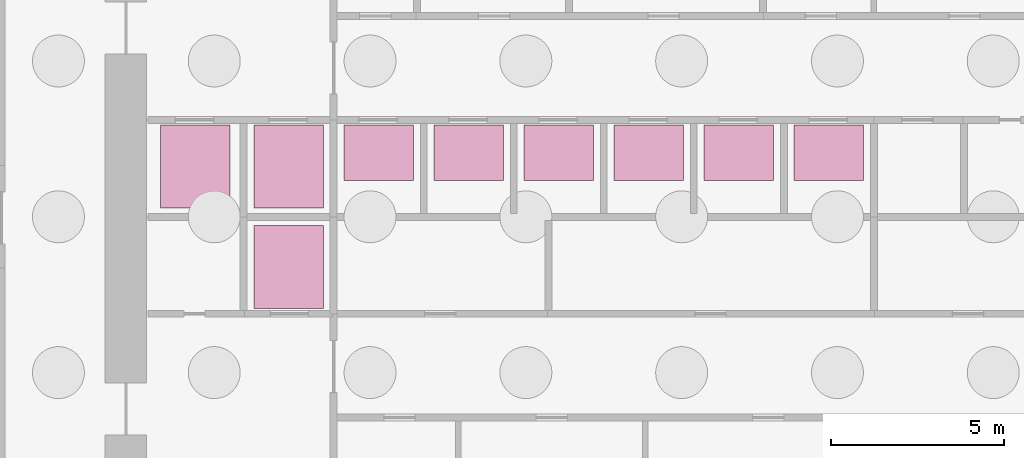
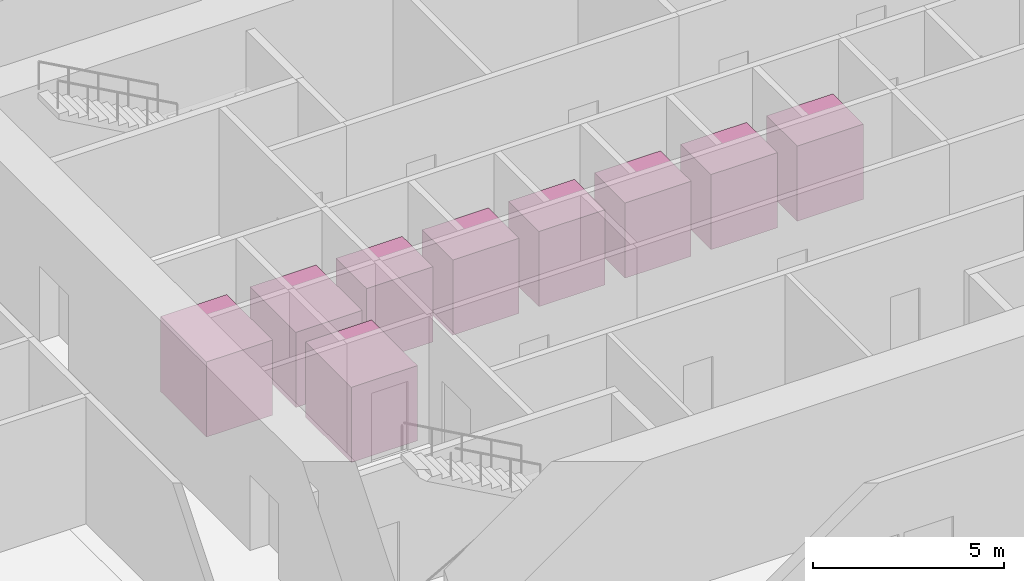
# One storey, part 14 of 14: 9 transport elements.
"""IFC4 building model written with IfcOpenShell, lengths in metres."""

import ifcopenshell
import ifcopenshell.guid

model = None  # the IFC model being written
_history = None  # IfcOwnerHistory: only IFC2X3 demands one
_inside = {}  # id of a spatial element -> (the spatial element, [elements in it])
_under = {}  # id of a project, library or spatial element -> (it, [spatial elements below it])
_declared = {}  # id of a project -> (the project, [libraries it declares])
_typed = {}  # id of a type object -> (the type object, [elements of that type])
_made_of = {}  # id of a material, layer set ... -> (it, [elements and type objects made of it])


def new_model(schema):
    """Start an empty IFC model of exactly this schema.

    Asked for "IFC4X3", IfcOpenShell would pick the latest addendum, in which some entities
    have other attributes; the version numbers below select the first issue.
    IFC2X3 requires an IfcOwnerHistory on every rooted entity: one is made here for all.
    """
    global model, _history
    if schema == "IFC4X3":
        model = ifcopenshell.file(schema_version=(4, 3, 0, 0))
    else:
        model = ifcopenshell.file(schema=schema)
    _inside.clear()
    _under.clear()
    _declared.clear()
    _typed.clear()
    _made_of.clear()
    _history = None
    if model.schema == "IFC2X3":
        org = make("IfcOrganization", Name="unknown")
        user = make(
            "IfcPersonAndOrganization",
            ThePerson=make("IfcPerson", FamilyName="unknown"),
            TheOrganization=org,
        )
        app = make(
            "IfcApplication",
            ApplicationDeveloper=org,
            Version="unknown",
            ApplicationFullName="unknown",
            ApplicationIdentifier="unknown",
        )
        _history = make(
            "IfcOwnerHistory",
            OwningUser=user,
            OwningApplication=app,
            ChangeAction="ADDED",
            CreationDate=0,
        )
    return model


def make(cls, **values):
    """One entity of the class cls with the attributes given. An attribute that is None is left unset."""
    return model.create_entity(
        cls, **{name: value for name, value in values.items() if value is not None}
    )


def rooted(cls, **values):
    """An entity with a GlobalId (a new one), such as an element, a storey or a relation."""
    return make(cls, GlobalId=ifcopenshell.guid.new(), OwnerHistory=_history, **values)


def si_unit(unit_type, name, prefix=None):
    """IfcSIUnit, for example si_unit("LENGTHUNIT", "METRE", prefix="MILLI")."""
    return make("IfcSIUnit", UnitType=unit_type, Prefix=prefix, Name=name)


def assignment(units):
    """IfcUnitAssignment: the units of a project."""
    return None if units is None else make("IfcUnitAssignment", Units=units)


def point(xyz):
    """IfcCartesianPoint."""
    return None if xyz is None else make("IfcCartesianPoint", Coordinates=xyz)


def direction(xyz):
    """IfcDirection."""
    return None if xyz is None else make("IfcDirection", DirectionRatios=xyz)


def frame(location, z_axis=None, x_axis=None):
    """IfcAxis2Placement3D, a coordinate frame: its origin and axes. An axis left out is left unset."""
    return make(
        "IfcAxis2Placement3D",
        Location=point(location),
        Axis=direction(z_axis),
        RefDirection=direction(x_axis),
    )


def frame_2d(location, x_axis=None):
    """IfcAxis2Placement2D, a coordinate frame in the plane: its origin and x axis."""
    return make(
        "IfcAxis2Placement2D", Location=point(location), RefDirection=direction(x_axis)
    )


def origin():
    """The frame at (0, 0, 0) with its axes left unset."""
    return frame((0.0, 0.0, 0.0))


def origin_2d():
    """The frame at (0, 0) in the plane with its x axis left unset."""
    return frame_2d((0.0, 0.0))


def place(relative_to, where):
    """IfcLocalPlacement: puts the frame where relative to a parent placement (None: the world)."""
    return make(
        "IfcLocalPlacement", PlacementRelTo=relative_to, RelativePlacement=where
    )


def context(
    kind, dimensions, precision=None, world=None, true_north=None, identifier=None
):
    """IfcGeometricRepresentationContext, for example the 3D "Model" context."""
    return make(
        "IfcGeometricRepresentationContext",
        ContextIdentifier=identifier,
        ContextType=kind,
        CoordinateSpaceDimension=dimensions,
        Precision=precision,
        WorldCoordinateSystem=world,
        TrueNorth=true_north,
    )


def subcontext(parent, identifier, kind, view, scale=None):
    """IfcGeometricRepresentationSubContext, for example "Body" below "Model"."""
    return make(
        "IfcGeometricRepresentationSubContext",
        ContextIdentifier=identifier,
        ContextType=kind,
        ParentContext=parent,
        TargetScale=scale,
        TargetView=view,
    )


def project(units=None, contexts=None):
    """IfcProject with its units and contexts."""
    return rooted(
        "IfcProject",
        Name="project",
        RepresentationContexts=contexts,
        UnitsInContext=assignment(units),
    )


def spatial(cls, under=None, at=None, **own):
    """A site, building, storey or space (cls), placed at a placement, below another one or the project."""
    s = rooted(cls, ObjectPlacement=at, **own)
    if under is not None:
        _under.setdefault(under.id(), (under, []))[1].append(s)
    return s


def profile(cls, at=None, kind="AREA", **sizes):
    """A parametric profile (cls). Its sizes go by their IFC names, for example OverallWidth=200.0."""
    return make(cls, ProfileType=kind, Position=at, **sizes)


def rectangle(**sizes):
    """IfcRectangleProfileDef."""
    return profile("IfcRectangleProfileDef", **sizes)


def extrude(swept, where, along, depth):
    """IfcExtrudedAreaSolid: the profile swept, set in the frame where, extruded along a direction by depth."""
    return make(
        "IfcExtrudedAreaSolid",
        SweptArea=swept,
        Position=where,
        ExtrudedDirection=direction(along),
        Depth=depth,
    )


def shape(context_of_items, identifier, shape_type, items):
    """IfcShapeRepresentation: the items that make up one representation, for example the "Body"."""
    return make(
        "IfcShapeRepresentation",
        ContextOfItems=context_of_items,
        RepresentationIdentifier=identifier,
        RepresentationType=shape_type,
        Items=items,
    )


def material(Name=None, Category=None):
    """IfcMaterial."""
    return make("IfcMaterial", Name=Name, Category=Category)


def made_of(thing, what):
    """Note that an element or type object is made of a material, layer set ...; save() writes the relation."""
    if what is not None:
        _made_of.setdefault(what.id(), (what, []))[1].append(thing)
    return thing


def type_object(cls, material=None, **own):
    """A type object (cls), such as IfcWallType, which elements share."""
    return made_of(rooted(cls, **own), material)


def element(
    cls,
    number,
    at=None,
    inside=None,
    cuts=None,
    type_object=None,
    material=None,
    context=None,
    identifier="Body",
    shape_type=None,
    held_by="IfcProductDefinitionShape",
    body=None,
    shapes=None,
    **own,
):
    """One element of the class cls, such as IfcWall. Its Tag is "e" and its number.

    at: its placement. inside: the storey or other place that contains it. cuts: it is an
    opening in that element (IfcRelVoidsElement). A single representation is given by context,
    identifier, shape_type and body (its items); several are given by shapes. held_by: the class
    of the entity that holds the representations. save() writes the other relations.
    """
    e = rooted(cls, Tag="e%d" % number, ObjectPlacement=at, **own)
    if body is not None:
        shapes = [shape(context, identifier, shape_type, body)]
    if shapes is not None:
        e.Representation = make(held_by, Representations=shapes)
    if inside is not None:
        _inside.setdefault(inside.id(), (inside, []))[1].append(e)
    if cuts is not None:
        rooted(
            "IfcRelVoidsElement", RelatingBuildingElement=cuts, RelatedOpeningElement=e
        )
    if type_object is not None:
        _typed.setdefault(type_object.id(), (type_object, []))[1].append(e)
    return made_of(e, material)


def aggregate(whole, parts):
    """IfcRelAggregates: a whole, such as a stair, and the parts it consists of."""
    return rooted("IfcRelAggregates", RelatingObject=whole, RelatedObjects=parts)


def save(model, path):
    """Write the relations noted so far, then the file.

    IfcRelAggregates (storeys below a building ...), IfcRelContainedInSpatialStructure (elements
    in a storey), IfcRelDefinesByType, IfcRelAssociatesMaterial and IfcRelDeclares: one each for
    every whole, place, type object, material and project.
    """
    for whole, parts in _under.values():
        aggregate(whole, parts)
    for where, things in _inside.values():
        rooted(
            "IfcRelContainedInSpatialStructure",
            RelatedElements=things,
            RelatingStructure=where,
        )
    for kind, things in _typed.values():
        rooted("IfcRelDefinesByType", RelatedObjects=things, RelatingType=kind)
    for what, things in _made_of.values():
        rooted("IfcRelAssociatesMaterial", RelatedObjects=things, RelatingMaterial=what)
    for by, libraries in _declared.values():
        rooted("IfcRelDeclares", RelatingContext=by, RelatedDefinitions=libraries)
    model.write(path)


model = new_model("IFC4")

# Units and contexts
model_context = context("Model", 3, precision=1e-05, world=origin(), true_north=direction((0.0, 1.0)))
body_context = subcontext(model_context, "Body", "Model", "MODEL_VIEW")
ifc_project = project(units=[si_unit("LENGTHUNIT", "METRE"), si_unit("AREAUNIT", "SQUARE_METRE"), si_unit("VOLUMEUNIT", "CUBIC_METRE"), si_unit("PLANEANGLEUNIT", "RADIAN"), si_unit("MASSUNIT", "GRAM", prefix="KILO")], contexts=[model_context])

# Site, building, storey
site_placement = place(None, origin())
site = spatial("IfcSite", under=ifc_project, at=site_placement, CompositionType="ELEMENT")
building_placement = place(site_placement, origin())
building = spatial("IfcBuilding", under=site, at=building_placement, Name="Msitu Wima Residences", CompositionType="ELEMENT")
storey_placement = place(building_placement, frame((0.0, 0.0, -9.0)))
storey = spatial("IfcBuildingStorey", under=building, at=storey_placement, Name="B2", CompositionType="ELEMENT", Elevation=-9.0)

# Transport elements
ifc_material = material(Name="Steel lift car, stainless steel lining", Category="steel")
transport_element_type_1 = type_object("IfcTransportElementType", Name="Fire fighting lift FL", PredefinedType="ELEVATOR", material=ifc_material)
for number, where, z_axis, x_axis, name in (
    (1, (-9.10009765625, 1.449951171875, 0.0), (0.0, 0.0, 1.0), (1.0, 0.0, 0.0), "Fire fighting lift FL1"),
    (2, (-9.10009765625, -1.449951171875, 0.0), (0.0, 0.0, 1.0), (1.0, 0.0, 0.0), "Fire fighting lift FL2"),
):
    element("IfcTransportElement", number, at=place(storey_placement, frame(where, z_axis=z_axis, x_axis=x_axis)), inside=storey, type_object=transport_element_type_1, Name=name, PredefinedType="ELEVATOR", context=body_context, shape_type="SweptSolid", body=[
        extrude(rectangle(XDim=2.0, YDim=2.39990234375, at=origin_2d()), origin(), (0.0, 0.0, 1.0), 2.39990234375),
    ])
transport_element_type_2 = type_object("IfcTransportElementType", Name="Low-rise passenger lift PL1", PredefinedType="ELEVATOR", material=ifc_material)
for number, where, z_axis, x_axis, name in (
    (3, (-6.5, 1.85009765625, 0.0), (0.0, 0.0, 1.0), (1.0, 0.0, 0.0), "Lift P1"),
    (4, (-3.89990234375, 1.85009765625, 0.0), (0.0, 0.0, 1.0), (1.0, 0.0, 0.0), "Lift P2"),
    (5, (-1.300048828125, 1.85009765625, 0.0), (0.0, 0.0, 1.0), (1.0, 0.0, 0.0), "Lift P3"),
    (6, (1.300048828125, 1.85009765625, 0.0), (0.0, 0.0, 1.0), (1.0, 0.0, 0.0), "Lift P4"),
    (7, (3.89990234375, 1.85009765625, 0.0), (0.0, 0.0, 1.0), (1.0, 0.0, 0.0), "Lift P5"),
    (8, (6.5, 1.85009765625, 0.0), (0.0, 0.0, 1.0), (1.0, 0.0, 0.0), "Lift P6"),
):
    element("IfcTransportElement", number, at=place(storey_placement, frame(where, z_axis=z_axis, x_axis=x_axis)), inside=storey, type_object=transport_element_type_2, Name=name, PredefinedType="ELEVATOR", context=body_context, shape_type="SweptSolid", body=[
        extrude(rectangle(XDim=2.0, YDim=1.60009765625, at=origin_2d()), origin(), (0.0, 0.0, 1.0), 2.39990234375),
    ])
transport_element_type_3 = type_object("IfcTransportElementType", Name="Service lift SL", PredefinedType="ELEVATOR", material=ifc_material)
transport_element_placement = place(storey_placement, frame((-11.800048828125, 1.449951171875, 0.0), z_axis=(0.0, 0.0, 1.0), x_axis=(1.0, 0.0, 0.0)))
element("IfcTransportElement", 9, at=transport_element_placement, inside=storey, type_object=transport_element_type_3, Name="Service lift SL1", PredefinedType="ELEVATOR", context=body_context, shape_type="SweptSolid", body=[
    extrude(rectangle(XDim=2.0, YDim=2.39990234375, at=origin_2d()), origin(), (0.0, 0.0, 1.0), 2.39990234375),
])

save(model, "model.ifc")
